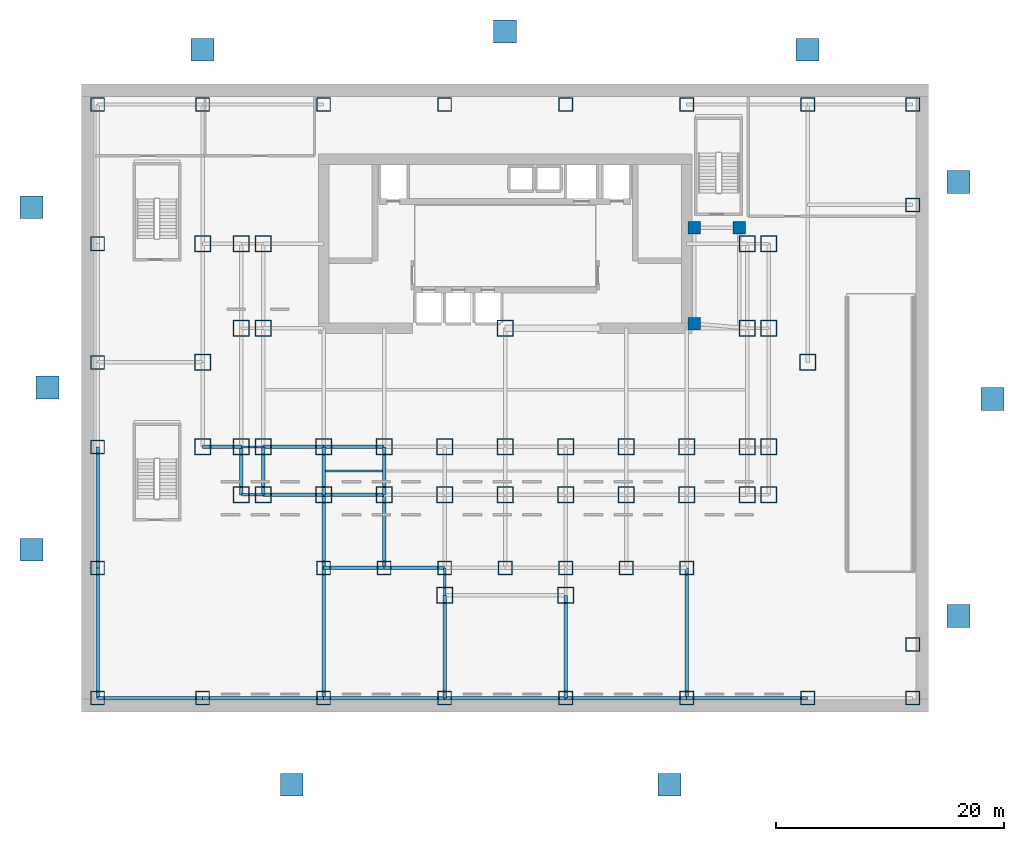
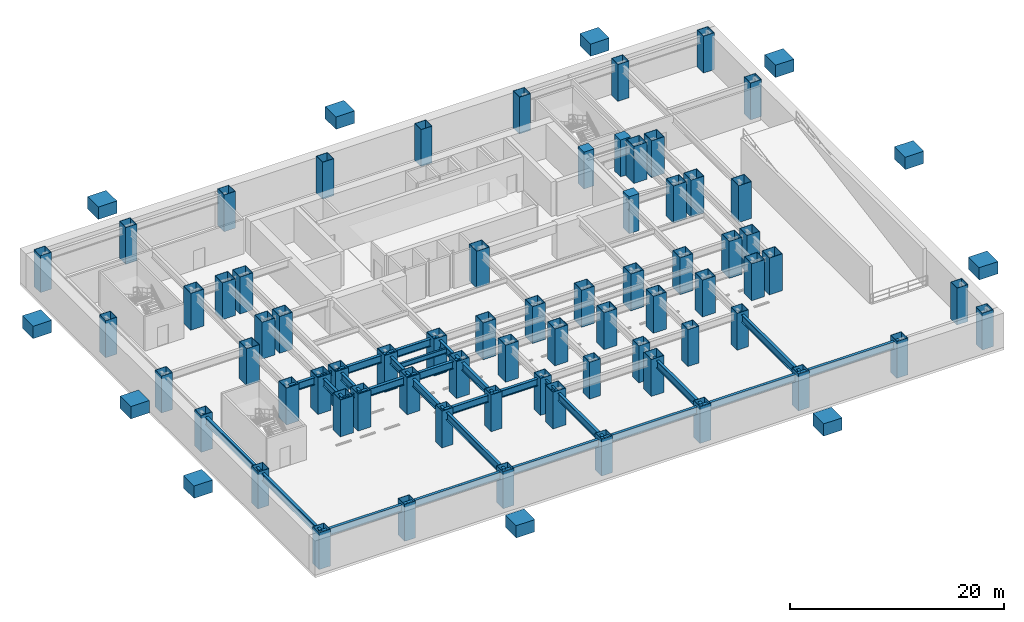
# One storey, part 1 of 7: 69 columns, 29 beams, 11 footings.
"""IFC4 building model written with IfcOpenShell, lengths in metres."""

import ifcopenshell
import ifcopenshell.guid

model = None  # the IFC model being written
_history = None  # IfcOwnerHistory: only IFC2X3 demands one
_inside = {}  # id of a spatial element -> (the spatial element, [elements in it])
_under = {}  # id of a project, library or spatial element -> (it, [spatial elements below it])
_declared = {}  # id of a project -> (the project, [libraries it declares])
_typed = {}  # id of a type object -> (the type object, [elements of that type])
_made_of = {}  # id of a material, layer set ... -> (it, [elements and type objects made of it])


def new_model(schema):
    """Start an empty IFC model of exactly this schema.

    Asked for "IFC4X3", IfcOpenShell would pick the latest addendum, in which some entities
    have other attributes; the version numbers below select the first issue.
    IFC2X3 requires an IfcOwnerHistory on every rooted entity: one is made here for all.
    """
    global model, _history
    if schema == "IFC4X3":
        model = ifcopenshell.file(schema_version=(4, 3, 0, 0))
    else:
        model = ifcopenshell.file(schema=schema)
    _inside.clear()
    _under.clear()
    _declared.clear()
    _typed.clear()
    _made_of.clear()
    _history = None
    if model.schema == "IFC2X3":
        org = make("IfcOrganization", Name="unknown")
        user = make(
            "IfcPersonAndOrganization",
            ThePerson=make("IfcPerson", FamilyName="unknown"),
            TheOrganization=org,
        )
        app = make(
            "IfcApplication",
            ApplicationDeveloper=org,
            Version="unknown",
            ApplicationFullName="unknown",
            ApplicationIdentifier="unknown",
        )
        _history = make(
            "IfcOwnerHistory",
            OwningUser=user,
            OwningApplication=app,
            ChangeAction="ADDED",
            CreationDate=0,
        )
    return model


def make(cls, **values):
    """One entity of the class cls with the attributes given. An attribute that is None is left unset."""
    return model.create_entity(
        cls, **{name: value for name, value in values.items() if value is not None}
    )


def rooted(cls, **values):
    """An entity with a GlobalId (a new one), such as an element, a storey or a relation."""
    return make(cls, GlobalId=ifcopenshell.guid.new(), OwnerHistory=_history, **values)


def si_unit(unit_type, name, prefix=None):
    """IfcSIUnit, for example si_unit("LENGTHUNIT", "METRE", prefix="MILLI")."""
    return make("IfcSIUnit", UnitType=unit_type, Prefix=prefix, Name=name)


def assignment(units):
    """IfcUnitAssignment: the units of a project."""
    return None if units is None else make("IfcUnitAssignment", Units=units)


def point(xyz):
    """IfcCartesianPoint."""
    return None if xyz is None else make("IfcCartesianPoint", Coordinates=xyz)


def direction(xyz):
    """IfcDirection."""
    return None if xyz is None else make("IfcDirection", DirectionRatios=xyz)


def frame(location, z_axis=None, x_axis=None):
    """IfcAxis2Placement3D, a coordinate frame: its origin and axes. An axis left out is left unset."""
    return make(
        "IfcAxis2Placement3D",
        Location=point(location),
        Axis=direction(z_axis),
        RefDirection=direction(x_axis),
    )


def frame_2d(location, x_axis=None):
    """IfcAxis2Placement2D, a coordinate frame in the plane: its origin and x axis."""
    return make(
        "IfcAxis2Placement2D", Location=point(location), RefDirection=direction(x_axis)
    )


def origin():
    """The frame at (0, 0, 0) with its axes left unset."""
    return frame((0.0, 0.0, 0.0))


def origin_2d():
    """The frame at (0, 0) in the plane with its x axis left unset."""
    return frame_2d((0.0, 0.0))


def place(relative_to, where):
    """IfcLocalPlacement: puts the frame where relative to a parent placement (None: the world)."""
    return make(
        "IfcLocalPlacement", PlacementRelTo=relative_to, RelativePlacement=where
    )


def context(
    kind, dimensions, precision=None, world=None, true_north=None, identifier=None
):
    """IfcGeometricRepresentationContext, for example the 3D "Model" context."""
    return make(
        "IfcGeometricRepresentationContext",
        ContextIdentifier=identifier,
        ContextType=kind,
        CoordinateSpaceDimension=dimensions,
        Precision=precision,
        WorldCoordinateSystem=world,
        TrueNorth=true_north,
    )


def subcontext(parent, identifier, kind, view, scale=None):
    """IfcGeometricRepresentationSubContext, for example "Body" below "Model"."""
    return make(
        "IfcGeometricRepresentationSubContext",
        ContextIdentifier=identifier,
        ContextType=kind,
        ParentContext=parent,
        TargetScale=scale,
        TargetView=view,
    )


def project(units=None, contexts=None):
    """IfcProject with its units and contexts."""
    return rooted(
        "IfcProject",
        Name="project",
        RepresentationContexts=contexts,
        UnitsInContext=assignment(units),
    )


def spatial(cls, under=None, at=None, **own):
    """A site, building, storey or space (cls), placed at a placement, below another one or the project."""
    s = rooted(cls, ObjectPlacement=at, **own)
    if under is not None:
        _under.setdefault(under.id(), (under, []))[1].append(s)
    return s


def polyline(points):
    """IfcPolyline through the points."""
    return make("IfcPolyline", Points=[point(p) for p in points])


def profile(cls, at=None, kind="AREA", **sizes):
    """A parametric profile (cls). Its sizes go by their IFC names, for example OverallWidth=200.0."""
    return make(cls, ProfileType=kind, Position=at, **sizes)


def rectangle(**sizes):
    """IfcRectangleProfileDef."""
    return profile("IfcRectangleProfileDef", **sizes)


def hollow_rectangle(**sizes):
    """IfcRectangleHollowProfileDef."""
    return profile("IfcRectangleHollowProfileDef", **sizes)


def i_section(**sizes):
    """IfcIShapeProfileDef."""
    return profile("IfcIShapeProfileDef", **sizes)


def outline(outer, holes=None, kind="AREA"):
    """IfcArbitraryClosedProfileDef: a profile drawn as a closed curve; with holes, ...WithVoids."""
    if holes is None:
        return make("IfcArbitraryClosedProfileDef", ProfileType=kind, OuterCurve=outer)
    return make(
        "IfcArbitraryProfileDefWithVoids",
        ProfileType=kind,
        OuterCurve=outer,
        InnerCurves=holes,
    )


def extrude(swept, where, along, depth):
    """IfcExtrudedAreaSolid: the profile swept, set in the frame where, extruded along a direction by depth."""
    return make(
        "IfcExtrudedAreaSolid",
        SweptArea=swept,
        Position=where,
        ExtrudedDirection=direction(along),
        Depth=depth,
    )


def shape(context_of_items, identifier, shape_type, items):
    """IfcShapeRepresentation: the items that make up one representation, for example the "Body"."""
    return make(
        "IfcShapeRepresentation",
        ContextOfItems=context_of_items,
        RepresentationIdentifier=identifier,
        RepresentationType=shape_type,
        Items=items,
    )


def material(Name=None, Category=None):
    """IfcMaterial."""
    return make("IfcMaterial", Name=Name, Category=Category)


def layer(
    of_material, thickness, ventilated=None, Name=None, Category=None, Priority=None
):
    """IfcMaterialLayer: one layer of a wall or slab, of a material (None: an air gap)."""
    return make(
        "IfcMaterialLayer",
        Material=of_material,
        LayerThickness=thickness,
        IsVentilated=ventilated,
        Name=Name,
        Category=Category,
        Priority=Priority,
    )


def layer_set(layers, Name=None):
    """IfcMaterialLayerSet."""
    return make("IfcMaterialLayerSet", MaterialLayers=layers, LayerSetName=Name)


def material_profile(
    of_material, cross_section, Name=None, Category=None, Priority=None
):
    """IfcMaterialProfile: a cross section and its material."""
    return make(
        "IfcMaterialProfile",
        Name=Name,
        Material=of_material,
        Profile=cross_section,
        Priority=Priority,
        Category=Category,
    )


def profile_set(profiles, Name=None, composite=None):
    """IfcMaterialProfileSet."""
    return make(
        "IfcMaterialProfileSet",
        Name=Name,
        MaterialProfiles=profiles,
        CompositeProfile=composite,
    )


def made_of(thing, what):
    """Note that an element or type object is made of a material, layer set ...; save() writes the relation."""
    if what is not None:
        _made_of.setdefault(what.id(), (what, []))[1].append(thing)
    return thing


def type_object(cls, material=None, **own):
    """A type object (cls), such as IfcWallType, which elements share."""
    return made_of(rooted(cls, **own), material)


def element(
    cls,
    number,
    at=None,
    inside=None,
    cuts=None,
    type_object=None,
    material=None,
    context=None,
    identifier="Body",
    shape_type=None,
    held_by="IfcProductDefinitionShape",
    body=None,
    shapes=None,
    **own,
):
    """One element of the class cls, such as IfcWall. Its Tag is "e" and its number.

    at: its placement. inside: the storey or other place that contains it. cuts: it is an
    opening in that element (IfcRelVoidsElement). A single representation is given by context,
    identifier, shape_type and body (its items); several are given by shapes. held_by: the class
    of the entity that holds the representations. save() writes the other relations.
    """
    e = rooted(cls, Tag="e%d" % number, ObjectPlacement=at, **own)
    if body is not None:
        shapes = [shape(context, identifier, shape_type, body)]
    if shapes is not None:
        e.Representation = make(held_by, Representations=shapes)
    if inside is not None:
        _inside.setdefault(inside.id(), (inside, []))[1].append(e)
    if cuts is not None:
        rooted(
            "IfcRelVoidsElement", RelatingBuildingElement=cuts, RelatedOpeningElement=e
        )
    if type_object is not None:
        _typed.setdefault(type_object.id(), (type_object, []))[1].append(e)
    return made_of(e, material)


def aggregate(whole, parts):
    """IfcRelAggregates: a whole, such as a stair, and the parts it consists of."""
    return rooted("IfcRelAggregates", RelatingObject=whole, RelatedObjects=parts)


def save(model, path):
    """Write the relations noted so far, then the file.

    IfcRelAggregates (storeys below a building ...), IfcRelContainedInSpatialStructure (elements
    in a storey), IfcRelDefinesByType, IfcRelAssociatesMaterial and IfcRelDeclares: one each for
    every whole, place, type object, material and project.
    """
    for whole, parts in _under.values():
        aggregate(whole, parts)
    for where, things in _inside.values():
        rooted(
            "IfcRelContainedInSpatialStructure",
            RelatedElements=things,
            RelatingStructure=where,
        )
    for kind, things in _typed.values():
        rooted("IfcRelDefinesByType", RelatedObjects=things, RelatingType=kind)
    for what, things in _made_of.values():
        rooted("IfcRelAssociatesMaterial", RelatedObjects=things, RelatingMaterial=what)
    for by, libraries in _declared.values():
        rooted("IfcRelDeclares", RelatingContext=by, RelatedDefinitions=libraries)
    model.write(path)


model = new_model("IFC4")

# Units and contexts
model_context = context("Model", 3, precision=1e-05, world=origin(), true_north=direction((0.0, 1.0)))
body_context = subcontext(model_context, "Body", "Model", "MODEL_VIEW")
ifc_project = project(units=[si_unit("LENGTHUNIT", "METRE"), si_unit("AREAUNIT", "SQUARE_METRE"), si_unit("VOLUMEUNIT", "CUBIC_METRE"), si_unit("PLANEANGLEUNIT", "RADIAN"), si_unit("MASSUNIT", "GRAM", prefix="KILO")], contexts=[model_context])

# Site, building, storey
site_placement = place(None, origin())
site = spatial("IfcSite", under=ifc_project, at=site_placement, CompositionType="ELEMENT")
building_placement = place(site_placement, origin())
building = spatial("IfcBuilding", under=site, at=building_placement, Name="Qianlan Lanfeng Residences", CompositionType="ELEMENT")
storey_placement = place(building_placement, frame((0.0, 0.0, -4.199951171875)))
storey = spatial("IfcBuildingStorey", under=building, at=storey_placement, Name="B1", CompositionType="ELEMENT", Elevation=-4.199951171875)

# Footings
ifc_material_1 = material(Name="Concrete C49", Category="concrete")
ifc_layer = layer(ifc_material_1, 1.39990234375)
ifc_layer_set = layer_set([ifc_layer], Name="Concrete C49")
footing_type = type_object("IfcFootingType", Name="FT-PAD-1400", PredefinedType="PAD_FOOTING", material=ifc_layer_set)
footing_1_placement = place(storey_placement, frame((0.0, 0.0, 2.64990234375)))
element("IfcFooting", 1, at=footing_1_placement, inside=storey, type_object=footing_type, Name="Exterior Apron and Ramp Pad Footing RP1", PredefinedType="PAD_FOOTING", context=body_context, shape_type="SweptSolid", body=[
    extrude(outline(polyline([(6.800048828125, -15.800048828125), (8.800048828125, -15.800048828125), (8.800048828125, -13.800048828125), (6.800048828125, -13.800048828125), (6.800048828125, -15.800048828125)])), origin(), (0.0, 0.0, 1.0), 1.400146484375),
])
footing_2_placement = place(storey_placement, frame((0.0, 0.0, 2.64990234375)))
element("IfcFooting", 2, at=footing_2_placement, inside=storey, type_object=footing_type, Name="Exterior Apron and Ramp Pad Footing RP2", PredefinedType="PAD_FOOTING", context=body_context, shape_type="SweptSolid", body=[
    extrude(outline(polyline([(39.89990234375, -15.800048828125), (41.89990234375, -15.800048828125), (41.89990234375, -13.800048828125), (39.89990234375, -13.800048828125), (39.89990234375, -15.800048828125)])), origin(), (0.0, 0.0, 1.0), 1.400146484375),
])
footing_3_placement = place(storey_placement, frame((0.0, 0.0, 2.64990234375)))
element("IfcFooting", 3, at=footing_3_placement, inside=storey, type_object=footing_type, Name="Exterior Apron and Ramp Pad Footing RP3", PredefinedType="PAD_FOOTING", context=body_context, shape_type="SweptSolid", body=[
    extrude(outline(polyline([(-16.0, 4.800048828125), (-14.0, 4.800048828125), (-14.0, 6.800048828125), (-16.0, 6.800048828125), (-16.0, 4.800048828125)])), origin(), (0.0, 0.0, 1.0), 1.400146484375),
])
footing_4_placement = place(storey_placement, frame((0.0, 0.0, 2.64990234375)))
element("IfcFooting", 4, at=footing_4_placement, inside=storey, type_object=footing_type, Name="Exterior Apron and Ramp Pad Footing RP4", PredefinedType="PAD_FOOTING", context=body_context, shape_type="SweptSolid", body=[
    extrude(outline(polyline([(-16.0, 34.800048828125), (-14.0, 34.800048828125), (-14.0, 36.800048828125), (-16.0, 36.800048828125), (-16.0, 34.800048828125)])), origin(), (0.0, 0.0, 1.0), 1.400146484375),
])
footing_5_placement = place(storey_placement, frame((0.0, 0.0, 2.599853515625)))
element("IfcFooting", 5, at=footing_5_placement, inside=storey, type_object=footing_type, Name="Exterior Apron and Ramp Pad Footing APN1", PredefinedType="PAD_FOOTING", context=body_context, shape_type="SweptSolid", body=[
    extrude(outline(polyline([(-1.0, 48.60009765625), (1.0, 48.60009765625), (1.0, 50.60009765625), (-1.0, 50.60009765625), (-1.0, 48.60009765625)])), origin(), (0.0, 0.0, 1.0), 1.400146484375),
])
footing_6_placement = place(storey_placement, frame((0.0, 0.0, 2.599853515625)))
element("IfcFooting", 6, at=footing_6_placement, inside=storey, type_object=footing_type, Name="Exterior Apron and Ramp Pad Footing APN2", PredefinedType="PAD_FOOTING", context=body_context, shape_type="SweptSolid", body=[
    extrude(outline(polyline([(25.5, 50.199951171875), (27.5, 50.199951171875), (27.5, 52.199951171875), (25.5, 52.199951171875), (25.5, 50.199951171875)])), origin(), (0.0, 0.0, 1.0), 1.400146484375),
])
footing_7_placement = place(storey_placement, frame((0.0, 0.0, 2.599853515625)))
element("IfcFooting", 7, at=footing_7_placement, inside=storey, type_object=footing_type, Name="Exterior Apron and Ramp Pad Footing APN3", PredefinedType="PAD_FOOTING", context=body_context, shape_type="SweptSolid", body=[
    extrude(outline(polyline([(52.0, 48.60009765625), (54.0, 48.60009765625), (54.0, 50.60009765625), (52.0, 50.60009765625), (52.0, 48.60009765625)])), origin(), (0.0, 0.0, 1.0), 1.400146484375),
])
footing_8_placement = place(storey_placement, frame((0.0, 0.0, 2.599853515625)))
element("IfcFooting", 8, at=footing_8_placement, inside=storey, type_object=footing_type, Name="Exterior Apron and Ramp Pad Footing APE1", PredefinedType="PAD_FOOTING", context=body_context, shape_type="SweptSolid", body=[
    extrude(outline(polyline([(65.199951171875, -1.0), (67.199951171875, -1.0), (67.199951171875, 1.0), (65.199951171875, 1.0), (65.199951171875, -1.0)])), origin(), (0.0, 0.0, 1.0), 1.400146484375),
])
footing_9_placement = place(storey_placement, frame((0.0, 0.0, 2.599853515625)))
element("IfcFooting", 9, at=footing_9_placement, inside=storey, type_object=footing_type, Name="Exterior Apron and Ramp Pad Footing APE2", PredefinedType="PAD_FOOTING", context=body_context, shape_type="SweptSolid", body=[
    extrude(outline(polyline([(68.199951171875, 18.0), (70.199951171875, 18.0), (70.199951171875, 20.0), (68.199951171875, 20.0), (68.199951171875, 18.0)])), origin(), (0.0, 0.0, 1.0), 1.400146484375),
])
footing_10_placement = place(storey_placement, frame((0.0, 0.0, 2.599853515625)))
element("IfcFooting", 10, at=footing_10_placement, inside=storey, type_object=footing_type, Name="Exterior Apron and Ramp Pad Footing APE3", PredefinedType="PAD_FOOTING", context=body_context, shape_type="SweptSolid", body=[
    extrude(outline(polyline([(65.199951171875, 37.0), (67.199951171875, 37.0), (67.199951171875, 39.0), (65.199951171875, 39.0), (65.199951171875, 37.0)])), origin(), (0.0, 0.0, 1.0), 1.400146484375),
])
footing_11_placement = place(storey_placement, frame((0.0, 0.0, 2.599853515625)))
element("IfcFooting", 11, at=footing_11_placement, inside=storey, type_object=footing_type, Name="Exterior Apron and Ramp Pad Footing APW1", PredefinedType="PAD_FOOTING", context=body_context, shape_type="SweptSolid", body=[
    extrude(outline(polyline([(-14.60009765625, 19.0), (-12.60009765625, 19.0), (-12.60009765625, 21.0), (-14.60009765625, 21.0), (-14.60009765625, 19.0)])), origin(), (0.0, 0.0, 1.0), 1.400146484375),
])

# Columns
ifc_material_2 = material(Name="Steel SM570 (420 MPa)", Category="steel")
ifc_material_profile_1 = material_profile(ifc_material_2, hollow_rectangle(XDim=1.39990234375, YDim=1.39990234375, WallThickness=0.044921875, at=origin_2d()), Name="BOX 1400x1400x45")
ifc_profile_set_1 = profile_set([ifc_material_profile_1], Name="Steel SM570 (420 MPa)")
column_type_1 = type_object("IfcColumnType", Name="C-B1600", PredefinedType="COLUMN", material=ifc_profile_set_1)
for number, where, z_axis, x_axis, name in (
    (12, (21.199951171875, 1.800048828125, 0.0), (0.0, 0.0, 1.0), (1.0, 0.0, 0.0), "B1 Structural Column P_21.20_1.80"),
    (13, (31.800048828125, 1.800048828125, 0.0), (0.0, 0.0, 1.0), (1.0, 0.0, 0.0), "B1 Structural Column P_31.80_1.80"),
    (14, (26.5, 25.199951171875, 0.0), (0.0, 0.0, 1.0), (1.0, 0.0, 0.0), "B1 Structural Column CP_26.5_25.2"),
    (15, (10.60009765625, 14.800048828125, 0.0), (0.0, 0.0, 1.0), (1.0, 0.0, 0.0), "B1 Structural Column M_10.60_14.80"),
    (16, (10.60009765625, 10.60009765625, 0.0), (0.0, 0.0, 1.0), (1.0, 0.0, 0.0), "B1 Structural Column G_10.60_10.60"),
    (17, (15.89990234375, 14.800048828125, 0.0), (0.0, 0.0, 1.0), (1.0, 0.0, 0.0), "B1 Structural Column M_15.90_14.80"),
    (18, (15.89990234375, 10.60009765625, 0.0), (0.0, 0.0, 1.0), (1.0, 0.0, 0.0), "B1 Structural Column G_15.90_10.60"),
    (19, (21.199951171875, 14.800048828125, 0.0), (0.0, 0.0, 1.0), (1.0, 0.0, 0.0), "B1 Structural Column M_21.20_14.80"),
    (20, (21.199951171875, 10.60009765625, 0.0), (0.0, 0.0, 1.0), (1.0, 0.0, 0.0), "B1 Structural Column G_21.20_10.60"),
    (21, (26.5, 14.800048828125, 0.0), (0.0, 0.0, 1.0), (1.0, 0.0, 0.0), "B1 Structural Column M_26.50_14.80"),
    (22, (26.5, 10.60009765625, 0.0), (0.0, 0.0, 1.0), (1.0, 0.0, 0.0), "B1 Structural Column G_26.50_10.60"),
    (23, (31.800048828125, 14.800048828125, 0.0), (0.0, 0.0, 1.0), (1.0, 0.0, 0.0), "B1 Structural Column M_31.80_14.80"),
    (24, (31.800048828125, 10.60009765625, 0.0), (0.0, 0.0, 1.0), (1.0, 0.0, 0.0), "B1 Structural Column G_31.80_10.60"),
    (25, (37.10009765625, 14.800048828125, 0.0), (0.0, 0.0, 1.0), (1.0, 0.0, 0.0), "B1 Structural Column M_37.10_14.80"),
    (26, (37.10009765625, 10.60009765625, 0.0), (0.0, 0.0, 1.0), (1.0, 0.0, 0.0), "B1 Structural Column G_37.10_10.60"),
    (27, (42.39990234375, 14.800048828125, 0.0), (0.0, 0.0, 1.0), (1.0, 0.0, 0.0), "B1 Structural Column M_42.40_14.80"),
    (28, (42.39990234375, 10.60009765625, 0.0), (0.0, 0.0, 1.0), (1.0, 0.0, 0.0), "B1 Structural Column G_42.40_10.60"),
    (29, (3.39990234375, 10.60009765625, 0.0), (0.0, 0.0, 1.0), (1.0, 0.0, 0.0), "B1 Structural Column W_3.40_10.60"),
    (30, (3.39990234375, 14.800048828125, 0.0), (0.0, 0.0, 1.0), (1.0, 0.0, 0.0), "B1 Structural Column W_3.40_14.80"),
    (31, (3.39990234375, 25.199951171875, 0.0), (0.0, 0.0, 1.0), (1.0, 0.0, 0.0), "B1 Structural Column W_3.40_25.20"),
    (32, (3.39990234375, 32.60009765625, 0.0), (0.0, 0.0, 1.0), (1.0, 0.0, 0.0), "B1 Structural Column W_3.40_32.60"),
    (33, (5.300048828125, 10.60009765625, 0.0), (0.0, 0.0, 1.0), (1.0, 0.0, 0.0), "B1 Structural Column W_5.30_10.60"),
    (34, (5.300048828125, 14.800048828125, 0.0), (0.0, 0.0, 1.0), (1.0, 0.0, 0.0), "B1 Structural Column W_5.30_14.80"),
    (35, (5.300048828125, 25.199951171875, 0.0), (0.0, 0.0, 1.0), (1.0, 0.0, 0.0), "B1 Structural Column W_5.30_25.20"),
    (36, (5.300048828125, 32.60009765625, 0.0), (0.0, 0.0, 1.0), (1.0, 0.0, 0.0), "B1 Structural Column W_5.30_32.60"),
    (37, (47.699951171875, 10.60009765625, 0.0), (0.0, 0.0, 1.0), (1.0, 0.0, 0.0), "B1 Structural Column W_47.70_10.60"),
    (38, (47.699951171875, 14.800048828125, 0.0), (0.0, 0.0, 1.0), (1.0, 0.0, 0.0), "B1 Structural Column W_47.70_14.80"),
    (39, (47.699951171875, 25.199951171875, 0.0), (0.0, 0.0, 1.0), (1.0, 0.0, 0.0), "B1 Structural Column W_47.70_25.20"),
    (40, (47.699951171875, 32.60009765625, 0.0), (0.0, 0.0, 1.0), (1.0, 0.0, 0.0), "B1 Structural Column W_47.70_32.60"),
    (41, (49.60009765625, 10.60009765625, 0.0), (0.0, 0.0, 1.0), (1.0, 0.0, 0.0), "B1 Structural Column W_49.60_10.60"),
    (42, (49.60009765625, 14.800048828125, 0.0), (0.0, 0.0, 1.0), (1.0, 0.0, 0.0), "B1 Structural Column W_49.60_14.80"),
    (43, (49.60009765625, 25.199951171875, 0.0), (0.0, 0.0, 1.0), (1.0, 0.0, 0.0), "B1 Structural Column W_49.60_25.20"),
    (44, (49.60009765625, 32.60009765625, 0.0), (0.0, 0.0, 1.0), (1.0, 0.0, 0.0), "B1 Structural Column W_49.60_32.60"),
    (45, (0.0, 14.800048828125, 0.0), (0.0, 0.0, 1.0), (1.0, 0.0, 0.0), "B1 Structural Column P_+0.0_+14.8"),
    (46, (0.0, 22.199951171875, 0.0), (0.0, 0.0, 1.0), (1.0, 0.0, 0.0), "B1 Structural Column P_+0.0_+22.2"),
    (47, (0.0, 32.60009765625, 0.0), (0.0, 0.0, 1.0), (1.0, 0.0, 0.0), "B1 Structural Column P_+0.0_+32.6"),
    (48, (53.0, 22.199951171875, 0.0), (0.0, 0.0, 1.0), (1.0, 0.0, 0.0), "B1 Structural Column P_+53.0_+22.2"),
):
    element("IfcColumn", number, at=place(storey_placement, frame(where, z_axis=z_axis, x_axis=x_axis)), inside=storey, type_object=column_type_1, Name=name, PredefinedType="COLUMN", context=body_context, shape_type="SweptSolid", body=[
        extrude(hollow_rectangle(XDim=1.39990234375, YDim=1.39990234375, WallThickness=0.044921875, at=origin_2d()), origin(), (0.0, 0.0, 1.0), 4.199951171875),
    ])
ifc_material_profile_2 = material_profile(ifc_material_1, rectangle(XDim=1.10009765625, YDim=1.10009765625, at=origin_2d()), Name="RC 1100x1100")
ifc_profile_set_2 = profile_set([ifc_material_profile_2], Name="Concrete C49")
column_type_2 = type_object("IfcColumnType", Name="C-RC800", PredefinedType="COLUMN", material=ifc_profile_set_2)
for number, where, z_axis, x_axis, name in (
    (49, (43.080078125, 25.60009765625, 0.0), (0.0, 0.0, 1.0), (1.0, 0.0, 0.0), "B1 Podium Stair ST-P1 Support Column 1"),
    (50, (47.02001953125, 34.0, 0.0), (0.0, 0.0, 1.0), (1.0, 0.0, 0.0), "B1 Podium Stair ST-P1 Support Column 3"),
    (51, (43.080078125, 34.0, 0.0), (0.0, 0.0, 1.0), (1.0, 0.0, 0.0), "B1 Podium Stair ST-P1 Support Column 4"),
):
    element("IfcColumn", number, at=place(storey_placement, frame(where, z_axis=z_axis, x_axis=x_axis)), inside=storey, type_object=column_type_2, Name=name, PredefinedType="COLUMN", context=body_context, shape_type="SweptSolid", body=[
        extrude(rectangle(XDim=1.10009765625, YDim=1.10009765625, at=origin_2d()), origin(), (0.0, 0.0, 1.0), 4.199951171875),
    ])
ifc_material_profile_3 = material_profile(ifc_material_2, hollow_rectangle(XDim=1.199951171875, YDim=1.199951171875, WallThickness=0.0400390625, at=origin_2d()), Name="BOX 1200x1200x40")
ifc_profile_set_3 = profile_set([ifc_material_profile_3], Name="Steel SM570 (420 MPa)")
column_type_3 = type_object("IfcColumnType", Name="CE-B1400", PredefinedType="COLUMN", material=ifc_profile_set_3)
for number, where, z_axis, x_axis, name in (
    (52, (10.60009765625, 4.199951171875, 0.0), (0.0, 0.0, 1.0), (1.0, 0.0, 0.0), "B1 Structural Column S_10.60_4.20"),
    (53, (15.89990234375, 4.199951171875, 0.0), (0.0, 0.0, 1.0), (1.0, 0.0, 0.0), "B1 Structural Column S_15.90_4.20"),
    (54, (21.199951171875, 4.199951171875, 0.0), (0.0, 0.0, 1.0), (1.0, 0.0, 0.0), "B1 Structural Column S_21.20_4.20"),
    (55, (26.5, 4.199951171875, 0.0), (0.0, 0.0, 1.0), (1.0, 0.0, 0.0), "B1 Structural Column S_26.50_4.20"),
    (56, (31.800048828125, 4.199951171875, 0.0), (0.0, 0.0, 1.0), (1.0, 0.0, 0.0), "B1 Structural Column S_31.80_4.20"),
    (57, (37.10009765625, 4.199951171875, 0.0), (0.0, 0.0, 1.0), (1.0, 0.0, 0.0), "B1 Structural Column S_37.10_4.20"),
    (58, (42.39990234375, 4.199951171875, 0.0), (0.0, 0.0, 1.0), (1.0, 0.0, 0.0), "B1 Structural Column S_42.40_4.20"),
    (59, (-9.199951171875, -7.199951171875, 0.0), (0.0, 0.0, 1.0), (1.0, 0.0, 0.0), "B1 Structural Column P_-9.2_-7.2"),
    (60, (0.0, -7.199951171875, 0.0), (0.0, 0.0, 1.0), (1.0, 0.0, 0.0), "B1 Structural Column P_+0.0_-7.2"),
    (61, (10.60009765625, -7.199951171875, 0.0), (0.0, 0.0, 1.0), (1.0, 0.0, 0.0), "B1 Structural Column P_+10.6_-7.2"),
    (62, (21.199951171875, -7.199951171875, 0.0), (0.0, 0.0, 1.0), (1.0, 0.0, 0.0), "B1 Structural Column P_+21.2_-7.2"),
    (63, (31.800048828125, -7.199951171875, 0.0), (0.0, 0.0, 1.0), (1.0, 0.0, 0.0), "B1 Structural Column P_+31.8_-7.2"),
    (64, (42.39990234375, -7.199951171875, 0.0), (0.0, 0.0, 1.0), (1.0, 0.0, 0.0), "B1 Structural Column P_+42.4_-7.2"),
    (65, (53.0, -7.199951171875, 0.0), (0.0, 0.0, 1.0), (1.0, 0.0, 0.0), "B1 Structural Column P_+53.0_-7.2"),
    (66, (62.199951171875, -7.199951171875, 0.0), (0.0, 0.0, 1.0), (1.0, 0.0, 0.0), "B1 Structural Column P_+62.2_-7.2"),
    (67, (-9.199951171875, 4.199951171875, 0.0), (0.0, 0.0, 1.0), (1.0, 0.0, 0.0), "B1 Structural Column P_-9.2_+4.2"),
    (68, (-9.199951171875, 14.800048828125, 0.0), (0.0, 0.0, 1.0), (1.0, 0.0, 0.0), "B1 Structural Column P_-9.2_+14.8"),
    (69, (-9.199951171875, 22.199951171875, 0.0), (0.0, 0.0, 1.0), (1.0, 0.0, 0.0), "B1 Structural Column P_-9.2_+22.2"),
    (70, (-9.199951171875, 32.60009765625, 0.0), (0.0, 0.0, 1.0), (1.0, 0.0, 0.0), "B1 Structural Column P_-9.2_+32.6"),
    (71, (-9.199951171875, 44.800048828125, 0.0), (0.0, 0.0, 1.0), (1.0, 0.0, 0.0), "B1 Structural Column P_-9.2_+44.8"),
    (72, (0.0, 44.800048828125, 0.0), (0.0, 0.0, 1.0), (1.0, 0.0, 0.0), "B1 Structural Column P_+0.0_+44.8"),
    (73, (10.60009765625, 44.800048828125, 0.0), (0.0, 0.0, 1.0), (1.0, 0.0, 0.0), "B1 Structural Column P_+10.6_+44.8"),
    (74, (21.199951171875, 44.800048828125, 0.0), (0.0, 0.0, 1.0), (1.0, 0.0, 0.0), "B1 Structural Column P_+21.2_+44.8"),
    (75, (31.800048828125, 44.800048828125, 0.0), (0.0, 0.0, 1.0), (1.0, 0.0, 0.0), "B1 Structural Column P_+31.8_+44.8"),
    (76, (42.39990234375, 44.800048828125, 0.0), (0.0, 0.0, 1.0), (1.0, 0.0, 0.0), "B1 Structural Column P_+42.4_+44.8"),
    (77, (53.0, 44.800048828125, 0.0), (0.0, 0.0, 1.0), (1.0, 0.0, 0.0), "B1 Structural Column P_+53.0_+44.8"),
    (78, (62.199951171875, 44.800048828125, 0.0), (0.0, 0.0, 1.0), (1.0, 0.0, 0.0), "B1 Structural Column P_+62.2_+44.8"),
    (79, (62.199951171875, -2.5, 0.0), (0.0, 0.0, 1.0), (1.0, 0.0, 0.0), "B1 Structural Column P_+62.2_-2.5"),
    (80, (62.199951171875, 36.0, 0.0), (0.0, 0.0, 1.0), (1.0, 0.0, 0.0), "B1 Structural Column P_+62.2_+36.0"),
):
    element("IfcColumn", number, at=place(storey_placement, frame(where, z_axis=z_axis, x_axis=x_axis)), inside=storey, type_object=column_type_3, Name=name, PredefinedType="COLUMN", context=body_context, shape_type="SweptSolid", body=[
        extrude(hollow_rectangle(XDim=1.199951171875, YDim=1.199951171875, WallThickness=0.0400390625, at=origin_2d()), origin(), (0.0, 0.0, 1.0), 4.199951171875),
    ])

# Beams
ifc_material_3 = material(Name="Steel SN490B", Category="steel")
ifc_material_profile_4 = material_profile(ifc_material_3, i_section(OverallWidth=0.300048828125, OverallDepth=0.85009765625, WebThickness=0.01611328125, FlangeThickness=0.031982421875, at=origin_2d()), Name="H 850x300x16x32")
ifc_profile_set_4 = profile_set([ifc_material_profile_4], Name="Steel SN490B")
beam_type_1 = type_object("IfcBeamType", Name="G-1100", PredefinedType="BEAM", material=ifc_profile_set_4)
beam_1_placement = place(storey_placement, frame((5.300048828125, 10.60009765625, 3.474853515625), z_axis=(1.0, 0.0, 0.0), x_axis=(0.0, 1.0, 0.0)))
element("IfcBeam", 81, at=beam_1_placement, inside=storey, type_object=beam_type_1, Name="Structural beam G-1100", PredefinedType="BEAM", context=body_context, shape_type="SweptSolid", body=[
    extrude(i_section(OverallWidth=0.300048828125, OverallDepth=0.85009765625, WebThickness=0.01611328125, FlangeThickness=0.031982421875, at=origin_2d()), origin(), (0.0, 0.0, 1.0), 5.300048828125),
])
beam_2_placement = place(storey_placement, frame((10.60009765625, 10.60009765625, 3.474853515625), z_axis=(1.0, 0.0, 0.0), x_axis=(0.0, 1.0, 0.0)))
element("IfcBeam", 82, at=beam_2_placement, inside=storey, type_object=beam_type_1, Name="Structural beam G-1100", PredefinedType="BEAM", context=body_context, shape_type="SweptSolid", body=[
    extrude(i_section(OverallWidth=0.300048828125, OverallDepth=0.85009765625, WebThickness=0.01611328125, FlangeThickness=0.031982421875, at=origin_2d()), origin(), (0.0, 0.0, 1.0), 5.2998046875),
])
beam_3_placement = place(storey_placement, frame((0.0, 14.800048828125, 3.474853515625), z_axis=(1.0, 0.0, 0.0), x_axis=(0.0, 1.0, 0.0)))
element("IfcBeam", 83, at=beam_3_placement, inside=storey, type_object=beam_type_1, Name="Structural beam G-1100", PredefinedType="BEAM", context=body_context, shape_type="SweptSolid", body=[
    extrude(i_section(OverallWidth=0.300048828125, OverallDepth=0.85009765625, WebThickness=0.01611328125, FlangeThickness=0.031982421875, at=origin_2d()), origin(), (0.0, 0.0, 1.0), 3.39990234375),
])
beam_4_placement = place(storey_placement, frame((5.300048828125, 14.800048828125, 3.474853515625), z_axis=(1.0, 0.0, 0.0), x_axis=(0.0, 1.0, 0.0)))
element("IfcBeam", 84, at=beam_4_placement, inside=storey, type_object=beam_type_1, Name="Structural beam G-1100", PredefinedType="BEAM", context=body_context, shape_type="SweptSolid", body=[
    extrude(i_section(OverallWidth=0.300048828125, OverallDepth=0.85009765625, WebThickness=0.01611328125, FlangeThickness=0.031982421875, at=origin_2d()), origin(), (0.0, 0.0, 1.0), 5.300048828125),
])
beam_5_placement = place(storey_placement, frame((10.60009765625, 14.800048828125, 3.474853515625), z_axis=(1.0, 0.0, 0.0), x_axis=(0.0, 1.0, 0.0)))
element("IfcBeam", 85, at=beam_5_placement, inside=storey, type_object=beam_type_1, Name="Structural beam G-1100", PredefinedType="BEAM", context=body_context, shape_type="SweptSolid", body=[
    extrude(i_section(OverallWidth=0.300048828125, OverallDepth=0.85009765625, WebThickness=0.01611328125, FlangeThickness=0.031982421875, at=origin_2d()), origin(), (0.0, 0.0, 1.0), 5.2998046875),
])
beam_6_placement = place(storey_placement, frame((-9.199951171875, -7.199951171875, 3.474853515625), z_axis=(0.0, 1.0, 0.0), x_axis=(-1.0, 0.0, 0.0)))
element("IfcBeam", 86, at=beam_6_placement, inside=storey, type_object=beam_type_1, Name="Structural beam G-1100", PredefinedType="BEAM", context=body_context, shape_type="SweptSolid", body=[
    extrude(i_section(OverallWidth=0.300048828125, OverallDepth=0.85009765625, WebThickness=0.01611328125, FlangeThickness=0.031982421875, at=origin_2d()), origin(), (0.0, 0.0, 1.0), 11.39990234375),
])
beam_7_placement = place(storey_placement, frame((-9.199951171875, 4.199951171875, 3.474853515625), z_axis=(0.0, 1.0, 0.0), x_axis=(-1.0, 0.0, 0.0)))
element("IfcBeam", 87, at=beam_7_placement, inside=storey, type_object=beam_type_1, Name="Structural beam G-1100", PredefinedType="BEAM", context=body_context, shape_type="SweptSolid", body=[
    extrude(i_section(OverallWidth=0.300048828125, OverallDepth=0.85009765625, WebThickness=0.01611328125, FlangeThickness=0.031982421875, at=origin_2d()), origin(), (0.0, 0.0, 1.0), 10.60009765625),
])
for number, where, z_axis, x_axis, name in (
    (88, (3.39990234375, 10.60009765625, 3.474853515625), (0.0, 1.0, 0.0), (-1.0, 0.0, 0.0), "Structural beam G-1100"),
    (89, (5.300048828125, 10.60009765625, 3.474853515625), (0.0, 1.0, 0.0), (-1.0, 0.0, 0.0), "Structural beam G-1100"),
):
    element("IfcBeam", number, at=place(storey_placement, frame(where, z_axis=z_axis, x_axis=x_axis)), inside=storey, type_object=beam_type_1, Name=name, PredefinedType="BEAM", context=body_context, shape_type="SweptSolid", body=[
        extrude(i_section(OverallWidth=0.300048828125, OverallDepth=0.85009765625, WebThickness=0.01611328125, FlangeThickness=0.031982421875, at=origin_2d()), origin(), (0.0, 0.0, 1.0), 4.199951171875),
    ])
beam_8_placement = place(storey_placement, frame((10.60009765625, -7.199951171875, 3.474853515625), z_axis=(0.0, 1.0, 0.0), x_axis=(-1.0, 0.0, 0.0)))
element("IfcBeam", 90, at=beam_8_placement, inside=storey, type_object=beam_type_1, Name="Structural beam G-1100", PredefinedType="BEAM", context=body_context, shape_type="SweptSolid", body=[
    extrude(i_section(OverallWidth=0.300048828125, OverallDepth=0.85009765625, WebThickness=0.01611328125, FlangeThickness=0.031982421875, at=origin_2d()), origin(), (0.0, 0.0, 1.0), 11.39990234375),
])
beam_9_placement = place(storey_placement, frame((10.60009765625, 4.199951171875, 3.474853515625), z_axis=(0.0, 1.0, 0.0), x_axis=(-1.0, 0.0, 0.0)))
element("IfcBeam", 91, at=beam_9_placement, inside=storey, type_object=beam_type_1, Name="Structural beam G-1100", PredefinedType="BEAM", context=body_context, shape_type="SweptSolid", body=[
    extrude(i_section(OverallWidth=0.300048828125, OverallDepth=0.85009765625, WebThickness=0.01611328125, FlangeThickness=0.031982421875, at=origin_2d()), origin(), (0.0, 0.0, 1.0), 6.400146484375),
])
beam_10_placement = place(storey_placement, frame((10.60009765625, 10.60009765625, 3.474853515625), z_axis=(0.0, 1.0, 0.0), x_axis=(-1.0, 0.0, 0.0)))
element("IfcBeam", 92, at=beam_10_placement, inside=storey, type_object=beam_type_1, Name="Structural beam G-1100", PredefinedType="BEAM", context=body_context, shape_type="SweptSolid", body=[
    extrude(i_section(OverallWidth=0.300048828125, OverallDepth=0.85009765625, WebThickness=0.01611328125, FlangeThickness=0.031982421875, at=origin_2d()), origin(), (0.0, 0.0, 1.0), 4.199951171875),
])
beam_11_placement = place(storey_placement, frame((15.89990234375, 4.199951171875, 3.474853515625), z_axis=(0.0, 1.0, 0.0), x_axis=(-1.0, 0.0, 0.0)))
element("IfcBeam", 93, at=beam_11_placement, inside=storey, type_object=beam_type_1, Name="Structural beam G-1100", PredefinedType="BEAM", context=body_context, shape_type="SweptSolid", body=[
    extrude(i_section(OverallWidth=0.300048828125, OverallDepth=0.85009765625, WebThickness=0.01611328125, FlangeThickness=0.031982421875, at=origin_2d()), origin(), (0.0, 0.0, 1.0), 6.400146484375),
])
beam_12_placement = place(storey_placement, frame((15.89990234375, 10.60009765625, 3.474853515625), z_axis=(0.0, 1.0, 0.0), x_axis=(-1.0, 0.0, 0.0)))
element("IfcBeam", 94, at=beam_12_placement, inside=storey, type_object=beam_type_1, Name="Structural beam G-1100", PredefinedType="BEAM", context=body_context, shape_type="SweptSolid", body=[
    extrude(i_section(OverallWidth=0.300048828125, OverallDepth=0.85009765625, WebThickness=0.01611328125, FlangeThickness=0.031982421875, at=origin_2d()), origin(), (0.0, 0.0, 1.0), 4.199951171875),
])
for number, where, z_axis, x_axis, name in (
    (95, (21.199951171875, -7.199951171875, 3.474853515625), (0.0, 1.0, 0.0), (-1.0, 0.0, 0.0), "Structural beam G-1100"),
    (96, (31.800048828125, -7.199951171875, 3.474853515625), (0.0, 1.0, 0.0), (-1.0, 0.0, 0.0), "Structural beam G-1100"),
):
    element("IfcBeam", number, at=place(storey_placement, frame(where, z_axis=z_axis, x_axis=x_axis)), inside=storey, type_object=beam_type_1, Name=name, PredefinedType="BEAM", context=body_context, shape_type="SweptSolid", body=[
        extrude(i_section(OverallWidth=0.300048828125, OverallDepth=0.85009765625, WebThickness=0.01611328125, FlangeThickness=0.031982421875, at=origin_2d()), origin(), (0.0, 0.0, 1.0), 9.0),
    ])
beam_13_placement = place(storey_placement, frame((42.39990234375, -7.199951171875, 3.474853515625), z_axis=(0.0, 1.0, 0.0), x_axis=(-1.0, 0.0, 0.0)))
element("IfcBeam", 97, at=beam_13_placement, inside=storey, type_object=beam_type_1, Name="Structural beam G-1100", PredefinedType="BEAM", context=body_context, shape_type="SweptSolid", body=[
    extrude(i_section(OverallWidth=0.300048828125, OverallDepth=0.85009765625, WebThickness=0.01611328125, FlangeThickness=0.031982421875, at=origin_2d()), origin(), (0.0, 0.0, 1.0), 11.39990234375),
])
ifc_material_profile_5 = material_profile(ifc_material_3, i_section(OverallWidth=0.199951171875, OverallDepth=0.449951171875, WebThickness=0.009033203125, FlangeThickness=0.013916015625, at=origin_2d()), Name="H 450x200x9x14")
ifc_profile_set_5 = profile_set([ifc_material_profile_5], Name="Steel SN490B")
beam_type_2 = type_object("IfcBeamType", Name="J-450", PredefinedType="JOIST", material=ifc_profile_set_5)
for number, where, z_axis, x_axis, name in (
    (98, (3.39990234375, 10.60009765625, 3.675048828125), (1.0, 0.0, 0.0), (0.0, 1.0, 0.0), "Structural beam J-450"),
    (99, (3.39990234375, 14.800048828125, 3.675048828125), (1.0, 0.0, 0.0), (0.0, 1.0, 0.0), "Structural beam J-450"),
):
    element("IfcBeam", number, at=place(storey_placement, frame(where, z_axis=z_axis, x_axis=x_axis)), inside=storey, type_object=beam_type_2, Name=name, PredefinedType="JOIST", context=body_context, shape_type="SweptSolid", body=[
        extrude(i_section(OverallWidth=0.199951171875, OverallDepth=0.449951171875, WebThickness=0.009033203125, FlangeThickness=0.013916015625, at=origin_2d()), origin(), (0.0, 0.0, 1.0), 1.900146484375),
    ])
beam_14_placement = place(storey_placement, frame((21.199951171875, 1.800048828125, 3.675048828125), z_axis=(0.0, 1.0, 0.0), x_axis=(-1.0, 0.0, 0.0)))
element("IfcBeam", 100, at=beam_14_placement, inside=storey, type_object=beam_type_2, Name="Structural beam J-450", PredefinedType="JOIST", context=body_context, shape_type="SweptSolid", body=[
    extrude(i_section(OverallWidth=0.199951171875, OverallDepth=0.449951171875, WebThickness=0.009033203125, FlangeThickness=0.013916015625, at=origin_2d()), origin(), (0.0, 0.0, 1.0), 2.39990234375),
])
ifc_material_profile_6 = material_profile(ifc_material_3, i_section(OverallWidth=0.199951171875, OverallDepth=0.550048828125, WebThickness=0.010986328125, FlangeThickness=0.01806640625, at=origin_2d()), Name="H 550x200x11x18")
ifc_profile_set_6 = profile_set([ifc_material_profile_6], Name="Steel SN490B")
beam_type_3 = type_object("IfcBeamType", Name="J-550", PredefinedType="JOIST", material=ifc_profile_set_6)
beam_15_placement = place(storey_placement, frame((10.75, 12.699951171875, 3.625), z_axis=(1.0, 0.0, 0.0), x_axis=(0.0, 1.0, 0.0)))
element("IfcBeam", 101, at=beam_15_placement, inside=storey, type_object=beam_type_3, Name="Structural beam J-550", PredefinedType="JOIST", context=body_context, shape_type="SweptSolid", body=[
    extrude(i_section(OverallWidth=0.199951171875, OverallDepth=0.550048828125, WebThickness=0.010986328125, FlangeThickness=0.01806640625, at=origin_2d()), origin(), (0.0, 0.0, 1.0), 5.0),
])
ifc_material_profile_7 = material_profile(ifc_material_3, i_section(OverallWidth=0.300048828125, OverallDepth=0.800048828125, WebThickness=0.01611328125, FlangeThickness=0.028076171875, at=origin_2d()), Name="H 800x300x16x28")
ifc_profile_set_7 = profile_set([ifc_material_profile_7], Name="Steel SN490B")
beam_type_4 = type_object("IfcBeamType", Name="SG-950", PredefinedType="SPANDREL", material=ifc_profile_set_7)
beam_16_placement = place(storey_placement, frame((-9.199951171875, -7.199951171875, 3.5), z_axis=(1.0, 0.0, 0.0), x_axis=(0.0, 1.0, 0.0)))
element("IfcBeam", 102, at=beam_16_placement, inside=storey, type_object=beam_type_4, Name="Structural beam SG-950", PredefinedType="SPANDREL", context=body_context, shape_type="SweptSolid", body=[
    extrude(i_section(OverallWidth=0.300048828125, OverallDepth=0.800048828125, WebThickness=0.01611328125, FlangeThickness=0.028076171875, at=origin_2d()), origin(), (0.0, 0.0, 1.0), 9.199951171875),
])
beam_17_placement = place(storey_placement, frame((0.0, -7.199951171875, 3.5), z_axis=(1.0, 0.0, 0.0), x_axis=(0.0, 1.0, 0.0)))
element("IfcBeam", 103, at=beam_17_placement, inside=storey, type_object=beam_type_4, Name="Structural beam SG-950", PredefinedType="SPANDREL", context=body_context, shape_type="SweptSolid", body=[
    extrude(i_section(OverallWidth=0.300048828125, OverallDepth=0.800048828125, WebThickness=0.01611328125, FlangeThickness=0.028076171875, at=origin_2d()), origin(), (0.0, 0.0, 1.0), 10.60009765625),
])
beam_18_placement = place(storey_placement, frame((10.60009765625, -7.199951171875, 3.5), z_axis=(1.0, 0.0, 0.0), x_axis=(0.0, 1.0, 0.0)))
element("IfcBeam", 104, at=beam_18_placement, inside=storey, type_object=beam_type_4, Name="Structural beam SG-950", PredefinedType="SPANDREL", context=body_context, shape_type="SweptSolid", body=[
    extrude(i_section(OverallWidth=0.300048828125, OverallDepth=0.800048828125, WebThickness=0.01611328125, FlangeThickness=0.028076171875, at=origin_2d()), origin(), (0.0, 0.0, 1.0), 10.599853515625),
])
beam_19_placement = place(storey_placement, frame((21.199951171875, -7.199951171875, 3.5), z_axis=(1.0, 0.0, 0.0), x_axis=(0.0, 1.0, 0.0)))
element("IfcBeam", 105, at=beam_19_placement, inside=storey, type_object=beam_type_4, Name="Structural beam SG-950", PredefinedType="SPANDREL", context=body_context, shape_type="SweptSolid", body=[
    extrude(i_section(OverallWidth=0.300048828125, OverallDepth=0.800048828125, WebThickness=0.01611328125, FlangeThickness=0.028076171875, at=origin_2d()), origin(), (0.0, 0.0, 1.0), 10.60009765625),
])
beam_20_placement = place(storey_placement, frame((31.800048828125, -7.199951171875, 3.5), z_axis=(1.0, 0.0, 0.0), x_axis=(0.0, 1.0, 0.0)))
element("IfcBeam", 106, at=beam_20_placement, inside=storey, type_object=beam_type_4, Name="Structural beam SG-950", PredefinedType="SPANDREL", context=body_context, shape_type="SweptSolid", body=[
    extrude(i_section(OverallWidth=0.300048828125, OverallDepth=0.800048828125, WebThickness=0.01611328125, FlangeThickness=0.028076171875, at=origin_2d()), origin(), (0.0, 0.0, 1.0), 10.599853515625),
])
beam_21_placement = place(storey_placement, frame((42.39990234375, -7.199951171875, 3.5), z_axis=(1.0, 0.0, 0.0), x_axis=(0.0, 1.0, 0.0)))
element("IfcBeam", 107, at=beam_21_placement, inside=storey, type_object=beam_type_4, Name="Structural beam SG-950", PredefinedType="SPANDREL", context=body_context, shape_type="SweptSolid", body=[
    extrude(i_section(OverallWidth=0.300048828125, OverallDepth=0.800048828125, WebThickness=0.01611328125, FlangeThickness=0.028076171875, at=origin_2d()), origin(), (0.0, 0.0, 1.0), 10.60009765625),
])
beam_22_placement = place(storey_placement, frame((10.60009765625, 4.199951171875, 3.5), z_axis=(1.0, 0.0, 0.0), x_axis=(0.0, 1.0, 0.0)))
element("IfcBeam", 108, at=beam_22_placement, inside=storey, type_object=beam_type_4, Name="Structural beam SG-950", PredefinedType="SPANDREL", context=body_context, shape_type="SweptSolid", body=[
    extrude(i_section(OverallWidth=0.300048828125, OverallDepth=0.800048828125, WebThickness=0.01611328125, FlangeThickness=0.028076171875, at=origin_2d()), origin(), (0.0, 0.0, 1.0), 5.2998046875),
])
beam_23_placement = place(storey_placement, frame((15.89990234375, 4.199951171875, 3.5), z_axis=(1.0, 0.0, 0.0), x_axis=(0.0, 1.0, 0.0)))
element("IfcBeam", 109, at=beam_23_placement, inside=storey, type_object=beam_type_4, Name="Structural beam SG-950", PredefinedType="SPANDREL", context=body_context, shape_type="SweptSolid", body=[
    extrude(i_section(OverallWidth=0.300048828125, OverallDepth=0.800048828125, WebThickness=0.01611328125, FlangeThickness=0.028076171875, at=origin_2d()), origin(), (0.0, 0.0, 1.0), 5.300048828125),
])

save(model, "model.ifc")
